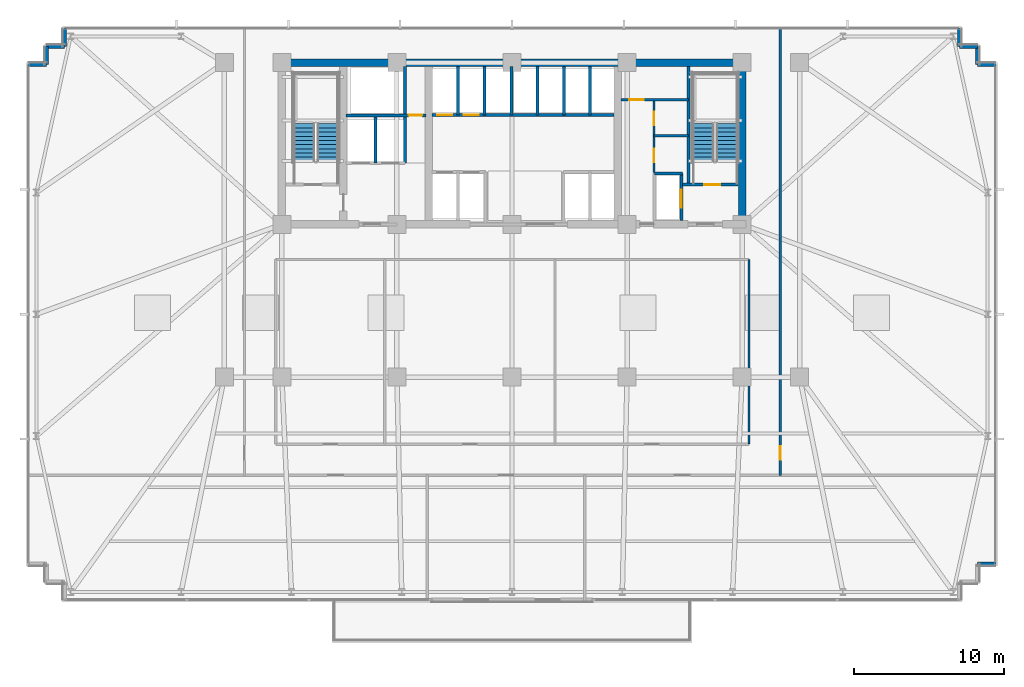
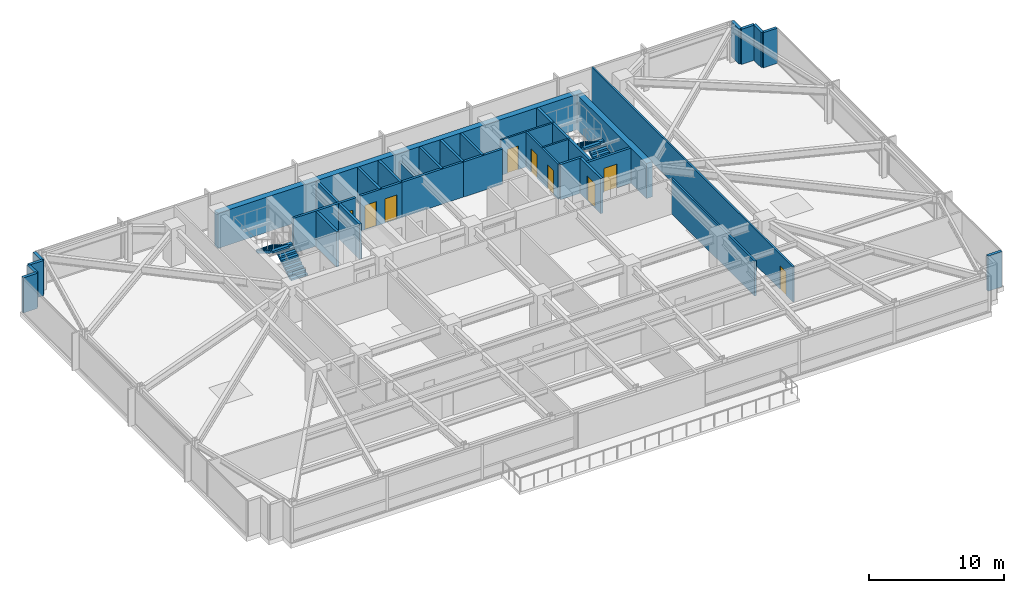
# One storey, part 25 of 31: 32 walls, 9 doors, 4 stair flights, 9 openings, 2 elements without a shape of their own.
"""IFC4 building model written with IfcOpenShell, lengths in metres."""

import ifcopenshell
import ifcopenshell.guid

model = None  # the IFC model being written
_history = None  # IfcOwnerHistory: only IFC2X3 demands one
_inside = {}  # id of a spatial element -> (the spatial element, [elements in it])
_under = {}  # id of a project, library or spatial element -> (it, [spatial elements below it])
_declared = {}  # id of a project -> (the project, [libraries it declares])
_typed = {}  # id of a type object -> (the type object, [elements of that type])
_made_of = {}  # id of a material, layer set ... -> (it, [elements and type objects made of it])


def new_model(schema):
    """Start an empty IFC model of exactly this schema.

    Asked for "IFC4X3", IfcOpenShell would pick the latest addendum, in which some entities
    have other attributes; the version numbers below select the first issue.
    IFC2X3 requires an IfcOwnerHistory on every rooted entity: one is made here for all.
    """
    global model, _history
    if schema == "IFC4X3":
        model = ifcopenshell.file(schema_version=(4, 3, 0, 0))
    else:
        model = ifcopenshell.file(schema=schema)
    _inside.clear()
    _under.clear()
    _declared.clear()
    _typed.clear()
    _made_of.clear()
    _history = None
    if model.schema == "IFC2X3":
        org = make("IfcOrganization", Name="unknown")
        user = make(
            "IfcPersonAndOrganization",
            ThePerson=make("IfcPerson", FamilyName="unknown"),
            TheOrganization=org,
        )
        app = make(
            "IfcApplication",
            ApplicationDeveloper=org,
            Version="unknown",
            ApplicationFullName="unknown",
            ApplicationIdentifier="unknown",
        )
        _history = make(
            "IfcOwnerHistory",
            OwningUser=user,
            OwningApplication=app,
            ChangeAction="ADDED",
            CreationDate=0,
        )
    return model


def make(cls, **values):
    """One entity of the class cls with the attributes given. An attribute that is None is left unset."""
    return model.create_entity(
        cls, **{name: value for name, value in values.items() if value is not None}
    )


def rooted(cls, **values):
    """An entity with a GlobalId (a new one), such as an element, a storey or a relation."""
    return make(cls, GlobalId=ifcopenshell.guid.new(), OwnerHistory=_history, **values)


def si_unit(unit_type, name, prefix=None):
    """IfcSIUnit, for example si_unit("LENGTHUNIT", "METRE", prefix="MILLI")."""
    return make("IfcSIUnit", UnitType=unit_type, Prefix=prefix, Name=name)


def assignment(units):
    """IfcUnitAssignment: the units of a project."""
    return None if units is None else make("IfcUnitAssignment", Units=units)


def point(xyz):
    """IfcCartesianPoint."""
    return None if xyz is None else make("IfcCartesianPoint", Coordinates=xyz)


def direction(xyz):
    """IfcDirection."""
    return None if xyz is None else make("IfcDirection", DirectionRatios=xyz)


def frame(location, z_axis=None, x_axis=None):
    """IfcAxis2Placement3D, a coordinate frame: its origin and axes. An axis left out is left unset."""
    return make(
        "IfcAxis2Placement3D",
        Location=point(location),
        Axis=direction(z_axis),
        RefDirection=direction(x_axis),
    )


def frame_2d(location, x_axis=None):
    """IfcAxis2Placement2D, a coordinate frame in the plane: its origin and x axis."""
    return make(
        "IfcAxis2Placement2D", Location=point(location), RefDirection=direction(x_axis)
    )


def origin():
    """The frame at (0, 0, 0) with its axes left unset."""
    return frame((0.0, 0.0, 0.0))


def place(relative_to, where):
    """IfcLocalPlacement: puts the frame where relative to a parent placement (None: the world)."""
    return make(
        "IfcLocalPlacement", PlacementRelTo=relative_to, RelativePlacement=where
    )


def context(
    kind, dimensions, precision=None, world=None, true_north=None, identifier=None
):
    """IfcGeometricRepresentationContext, for example the 3D "Model" context."""
    return make(
        "IfcGeometricRepresentationContext",
        ContextIdentifier=identifier,
        ContextType=kind,
        CoordinateSpaceDimension=dimensions,
        Precision=precision,
        WorldCoordinateSystem=world,
        TrueNorth=true_north,
    )


def subcontext(parent, identifier, kind, view, scale=None):
    """IfcGeometricRepresentationSubContext, for example "Body" below "Model"."""
    return make(
        "IfcGeometricRepresentationSubContext",
        ContextIdentifier=identifier,
        ContextType=kind,
        ParentContext=parent,
        TargetScale=scale,
        TargetView=view,
    )


def project(units=None, contexts=None):
    """IfcProject with its units and contexts."""
    return rooted(
        "IfcProject",
        Name="project",
        RepresentationContexts=contexts,
        UnitsInContext=assignment(units),
    )


def spatial(cls, under=None, at=None, **own):
    """A site, building, storey or space (cls), placed at a placement, below another one or the project."""
    s = rooted(cls, ObjectPlacement=at, **own)
    if under is not None:
        _under.setdefault(under.id(), (under, []))[1].append(s)
    return s


def polyline(points):
    """IfcPolyline through the points."""
    return make("IfcPolyline", Points=[point(p) for p in points])


def profile(cls, at=None, kind="AREA", **sizes):
    """A parametric profile (cls). Its sizes go by their IFC names, for example OverallWidth=200.0."""
    return make(cls, ProfileType=kind, Position=at, **sizes)


def rectangle(**sizes):
    """IfcRectangleProfileDef."""
    return profile("IfcRectangleProfileDef", **sizes)


def outline(outer, holes=None, kind="AREA"):
    """IfcArbitraryClosedProfileDef: a profile drawn as a closed curve; with holes, ...WithVoids."""
    if holes is None:
        return make("IfcArbitraryClosedProfileDef", ProfileType=kind, OuterCurve=outer)
    return make(
        "IfcArbitraryProfileDefWithVoids",
        ProfileType=kind,
        OuterCurve=outer,
        InnerCurves=holes,
    )


def extrude(swept, where, along, depth):
    """IfcExtrudedAreaSolid: the profile swept, set in the frame where, extruded along a direction by depth."""
    return make(
        "IfcExtrudedAreaSolid",
        SweptArea=swept,
        Position=where,
        ExtrudedDirection=direction(along),
        Depth=depth,
    )


def shape(context_of_items, identifier, shape_type, items):
    """IfcShapeRepresentation: the items that make up one representation, for example the "Body"."""
    return make(
        "IfcShapeRepresentation",
        ContextOfItems=context_of_items,
        RepresentationIdentifier=identifier,
        RepresentationType=shape_type,
        Items=items,
    )


def material(Name=None, Category=None):
    """IfcMaterial."""
    return make("IfcMaterial", Name=Name, Category=Category)


def layer(
    of_material, thickness, ventilated=None, Name=None, Category=None, Priority=None
):
    """IfcMaterialLayer: one layer of a wall or slab, of a material (None: an air gap)."""
    return make(
        "IfcMaterialLayer",
        Material=of_material,
        LayerThickness=thickness,
        IsVentilated=ventilated,
        Name=Name,
        Category=Category,
        Priority=Priority,
    )


def layer_set(layers, Name=None):
    """IfcMaterialLayerSet."""
    return make("IfcMaterialLayerSet", MaterialLayers=layers, LayerSetName=Name)


def made_of(thing, what):
    """Note that an element or type object is made of a material, layer set ...; save() writes the relation."""
    if what is not None:
        _made_of.setdefault(what.id(), (what, []))[1].append(thing)
    return thing


def type_object(cls, material=None, **own):
    """A type object (cls), such as IfcWallType, which elements share."""
    return made_of(rooted(cls, **own), material)


def element(
    cls,
    number,
    at=None,
    inside=None,
    cuts=None,
    type_object=None,
    material=None,
    context=None,
    identifier="Body",
    shape_type=None,
    held_by="IfcProductDefinitionShape",
    body=None,
    shapes=None,
    **own,
):
    """One element of the class cls, such as IfcWall. Its Tag is "e" and its number.

    at: its placement. inside: the storey or other place that contains it. cuts: it is an
    opening in that element (IfcRelVoidsElement). A single representation is given by context,
    identifier, shape_type and body (its items); several are given by shapes. held_by: the class
    of the entity that holds the representations. save() writes the other relations.
    """
    e = rooted(cls, Tag="e%d" % number, ObjectPlacement=at, **own)
    if body is not None:
        shapes = [shape(context, identifier, shape_type, body)]
    if shapes is not None:
        e.Representation = make(held_by, Representations=shapes)
    if inside is not None:
        _inside.setdefault(inside.id(), (inside, []))[1].append(e)
    if cuts is not None:
        rooted(
            "IfcRelVoidsElement", RelatingBuildingElement=cuts, RelatedOpeningElement=e
        )
    if type_object is not None:
        _typed.setdefault(type_object.id(), (type_object, []))[1].append(e)
    return made_of(e, material)


def fill(opening, filler):
    """IfcRelFillsElement: the door or window that sits in an opening."""
    return rooted(
        "IfcRelFillsElement",
        RelatingOpeningElement=opening,
        RelatedBuildingElement=filler,
    )


def aggregate(whole, parts):
    """IfcRelAggregates: a whole, such as a stair, and the parts it consists of."""
    return rooted("IfcRelAggregates", RelatingObject=whole, RelatedObjects=parts)


def save(model, path):
    """Write the relations noted so far, then the file.

    IfcRelAggregates (storeys below a building ...), IfcRelContainedInSpatialStructure (elements
    in a storey), IfcRelDefinesByType, IfcRelAssociatesMaterial and IfcRelDeclares: one each for
    every whole, place, type object, material and project.
    """
    for whole, parts in _under.values():
        aggregate(whole, parts)
    for where, things in _inside.values():
        rooted(
            "IfcRelContainedInSpatialStructure",
            RelatedElements=things,
            RelatingStructure=where,
        )
    for kind, things in _typed.values():
        rooted("IfcRelDefinesByType", RelatedObjects=things, RelatingType=kind)
    for what, things in _made_of.values():
        rooted("IfcRelAssociatesMaterial", RelatedObjects=things, RelatingMaterial=what)
    for by, libraries in _declared.values():
        rooted("IfcRelDeclares", RelatingContext=by, RelatedDefinitions=libraries)
    model.write(path)


model = new_model("IFC4")

# Units and contexts
model_context = context("Model", 3, precision=1e-05, world=origin(), true_north=direction((0.0, 1.0)))
body_context = subcontext(model_context, "Body", "Model", "MODEL_VIEW")
ifc_project = project(units=[si_unit("LENGTHUNIT", "METRE"), si_unit("AREAUNIT", "SQUARE_METRE"), si_unit("VOLUMEUNIT", "CUBIC_METRE"), si_unit("PLANEANGLEUNIT", "RADIAN"), si_unit("MASSUNIT", "GRAM", prefix="KILO")], contexts=[model_context])

# Site, building, storey
site_placement = place(None, origin())
site = spatial("IfcSite", under=ifc_project, at=site_placement, CompositionType="ELEMENT")
building_placement = place(site_placement, origin())
building = spatial("IfcBuilding", under=site, at=building_placement, Name="Yelkora Congress Tower", CompositionType="ELEMENT")
storey_placement = place(building_placement, frame((0.0, 0.0, 30.39990234375)))
storey = spatial("IfcBuildingStorey", under=building, at=storey_placement, Name="L06", CompositionType="ELEMENT", Elevation=30.39990234375)

# Walls
ifc_material_1 = material(Name="Concrete C50/60", Category="concrete")
ifc_layer_1 = layer(ifc_material_1, 0.219970703125)
ifc_layer_set_1 = layer_set([ifc_layer_1], Name="Concrete C50/60")
wall_type_1 = type_object("IfcWallType", Name="WALL-CORE-INT-220", PredefinedType="SHEAR", material=ifc_layer_set_1)
wall_1_placement = place(storey_placement, frame((50.179931640625, 38.050048828125, 0.0), z_axis=(0.0, 0.0, 1.0), x_axis=(0.0, 1.0, 0.0)))
element("IfcWall", 1, at=wall_1_placement, inside=storey, type_object=wall_type_1, Name="L06 ST02 West Stair Shear Wall", PredefinedType="SHEAR", context=body_context, shape_type="SweptSolid", body=[
    extrude(rectangle(XDim=7.89990234375, YDim=0.219970703125, at=frame_2d((3.949951171875, 0.0))), origin(), (0.0, 0.0, 1.0), 3.18017578125),
])
ifc_material_2 = material(Name="Concrete C60/75", Category="concrete")
ifc_layer_2 = layer(ifc_material_2, 0.5)
ifc_layer_set_2 = layer_set([ifc_layer_2], Name="Concrete C60/75")
wall_type_2 = type_object("IfcWallType", Name="WALL-CORE-INT-500", PredefinedType="SHEAR", material=ifc_layer_set_2)
wall_2_placement = place(storey_placement, frame((22.7900390625, 46.199951171875, 0.0), z_axis=(0.0, 0.0, 1.0), x_axis=(1.0, 0.0, 0.0)))
element("IfcWall", 2, at=wall_2_placement, inside=storey, type_object=wall_type_2, Name="L06 Rear Core North Shear Wall", PredefinedType="SHEAR", context=body_context, shape_type="SweptSolid", body=[
    extrude(rectangle(XDim=31.219970703125, YDim=0.5, at=frame_2d((15.60986328125, 0.0))), origin(), (0.0, 0.0, 1.0), 3.18017578125),
])
wall_3_placement = place(storey_placement, frame((53.760009765625, 35.64990234375, 0.0), z_axis=(0.0, 0.0, 1.0), x_axis=(0.0, 1.0, 0.0)))
element("IfcWall", 3, at=wall_3_placement, inside=storey, type_object=wall_type_2, Name="L06 Rear Core Cross Shear Wall E", PredefinedType="SHEAR", context=body_context, shape_type="SweptSolid", body=[
    extrude(rectangle(XDim=10.300048828125, YDim=0.5, at=frame_2d((5.14990234375, 0.0))), origin(), (0.0, 0.0, 1.0), 3.18017578125),
])
ifc_material_3 = material(Name="Concrete C40/50", Category="concrete")
ifc_layer_3 = layer(ifc_material_3, 0.239990234375)
ifc_layer_set_3 = layer_set([ifc_layer_3], Name="Concrete C40/50")
wall_type_3 = type_object("IfcWallType", Name="WALL-EXT-LIMESTONE-240", PredefinedType="SOLIDWALL", material=ifc_layer_set_3)
wall_4_placement = place(storey_placement, frame((6.139892578125, 46.06005859375, 0.0), z_axis=(0.0, 0.0, 1.0), x_axis=(1.0, 0.0, 0.0)))
element("IfcWall", 4, at=wall_4_placement, inside=storey, type_object=wall_type_3, Name="L06 Serrated Corner Limestone Pier 6", PredefinedType="SOLIDWALL", context=body_context, shape_type="SweptSolid", body=[
    extrude(rectangle(XDim=1.2001953125, YDim=0.239990234375, at=frame_2d((0.60009765625, 0.0))), origin(), (0.0, 0.0, 1.0), 3.18017578125),
])
for number, where, z_axis, x_axis, name in (
    (5, (7.340087890625, 46.06005859375, 0.0), (0.0, 0.0, 1.0), (0.0, 1.0, 0.0), "L06 Serrated Corner Limestone Pier 7"),
    (6, (7.340087890625, 47.260009765625, 0.0), (0.0, 0.0, 1.0), (1.0, 0.0, 0.0), "L06 Serrated Corner Limestone Pier 8"),
    (7, (8.5400390625, 47.260009765625, 0.0), (0.0, 0.0, 1.0), (0.0, 1.0, 0.0), "L06 Serrated Corner Limestone Pier 9"),
    (8, (68.260009765625, 48.4599609375, 0.0), (0.0, 0.0, 1.0), (0.0, -1.0, 0.0), "L06 Serrated Corner Limestone Pier 11"),
    (9, (68.260009765625, 47.260009765625, 0.0), (0.0, 0.0, 1.0), (1.0, 0.0, 0.0), "L06 Serrated Corner Limestone Pier 12"),
    (10, (69.4599609375, 47.260009765625, 0.0), (0.0, 0.0, 1.0), (0.0, -1.0, 0.0), "L06 Serrated Corner Limestone Pier 13"),
    (11, (69.4599609375, 46.06005859375, 0.0), (0.0, 0.0, 1.0), (1.0, 0.0, 0.0), "L06 Serrated Corner Limestone Pier 14"),
    (12, (70.659912109375, 12.739990234375, 0.0), (0.0, 0.0, 1.0), (-1.0, 0.0, 0.0), "L06 Serrated Corner Limestone Pier 16"),
):
    element("IfcWall", number, at=place(storey_placement, frame(where, z_axis=z_axis, x_axis=x_axis)), inside=storey, type_object=wall_type_3, Name=name, PredefinedType="SOLIDWALL", context=body_context, shape_type="SweptSolid", body=[
        extrude(rectangle(XDim=1.199951171875, YDim=0.239990234375, at=frame_2d((0.60009765625, 0.0))), origin(), (0.0, 0.0, 1.0), 3.18017578125),
    ])

# Wall, opening, door
ifc_material_4 = material(Name="Acoustic metal-stud gypsum partition", Category="gypsum")
ifc_layer_4 = layer(ifc_material_4, 0.14990234375)
ifc_layer_set_4 = layer_set([ifc_layer_4], Name="Acoustic metal-stud gypsum partition")
wall_type_4 = type_object("IfcWallType", Name="WALL-INT-150-NR", PredefinedType="PARTITIONING", material=ifc_layer_set_4)
wall_5_placement = place(storey_placement, frame((45.679931640625, 43.719970703125, 0.0), z_axis=(0.0, 0.0, 1.0), x_axis=(1.0, 0.0, 0.0)))
wall_5 = element("IfcWall", 13, at=wall_5_placement, inside=storey, type_object=wall_type_4, Name="L06 Partition Wall 28", PredefinedType="PARTITIONING", context=body_context, shape_type="SweptSolid", body=[
    extrude(rectangle(XDim=4.5, YDim=0.14990234375, at=frame_2d((2.25, 0.0))), origin(), (0.0, 0.0, 1.0), 3.18017578125),
])
opening_1_placement = place(wall_5_placement, frame((0.550048828125, 0.0, 0.0)))
opening_1 = element("IfcOpeningElement", 14, at=opening_1_placement, cuts=wall_5, Name="Opening DR-095N", PredefinedType="OPENING", context=body_context, shape_type="SweptSolid", body=[
    extrude(rectangle(XDim=0.949951171875, YDim=2.14990234375, at=frame_2d((0.47509765625, 1.074951171875))), frame((0.0, 0.0849609375, 0.0), z_axis=(0.0, -1.0, 0.0), x_axis=(1.0, 0.0, 0.0)), (0.0, 0.0, 1.0), 0.169921875),
])
ifc_material_5 = material(Name="Acoustic laminated timber office door", Category="wood")
door_type_1 = type_object("IfcDoorType", Name="DOOR-INT-950", OperationType="NOTDEFINED", PredefinedType="DOOR", material=ifc_material_5)
door_1_placement = place(opening_1_placement, origin())
door_1 = element("IfcDoor", 15, at=door_1_placement, inside=storey, type_object=door_type_1, Name="L06 Accessible WC Door", OperationType="SINGLE_SWING_RIGHT", OverallHeight=2.14990234375, OverallWidth=0.949951171875, PredefinedType="DOOR", context=body_context, shape_type="SweptSolid", body=[
    extrude(rectangle(XDim=0.949951171875, YDim=2.14990234375, at=frame_2d((0.47509765625, 1.074951171875))), frame((0.0, 0.02490234375, 0.0), z_axis=(0.0, -1.0, 0.0), x_axis=(1.0, 0.0, 0.0)), (0.0, 0.0, 1.0), 0.050048828125),
])
fill(opening_1, door_1)

# Wall
wall_6_placement = place(storey_placement, frame((47.8798828125, 41.320068359375, 0.0), z_axis=(0.0, 0.0, 1.0), x_axis=(1.0, 0.0, 0.0)))
element("IfcWall", 16, at=wall_6_placement, inside=storey, type_object=wall_type_4, Name="L06 Partition Wall 29", PredefinedType="PARTITIONING", context=body_context, shape_type="SweptSolid", body=[
    extrude(rectangle(XDim=2.300048828125, YDim=0.14990234375, at=frame_2d((1.14990234375, 0.0))), origin(), (0.0, 0.0, 1.0), 3.18017578125),
])

# Wall, openings, doors
wall_7_placement = place(storey_placement, frame((47.8798828125, 38.85009765625, 0.0), z_axis=(0.0, 0.0, 1.0), x_axis=(0.0, 1.0, 0.0)))
wall_7 = element("IfcWall", 17, at=wall_7_placement, inside=storey, type_object=wall_type_4, Name="L06 Partition Wall 30", PredefinedType="PARTITIONING", context=body_context, shape_type="SweptSolid", body=[
    extrude(rectangle(XDim=4.869873046875, YDim=0.14990234375, at=frame_2d((2.43505859375, 0.0))), origin(), (0.0, 0.0, 1.0), 3.18017578125),
])
opening_2_placement = place(wall_7_placement, frame((0.699951171875, 0.0, 0.0)))
opening_2 = element("IfcOpeningElement", 18, at=opening_2_placement, cuts=wall_7, Name="Opening DR-090N", PredefinedType="OPENING", context=body_context, shape_type="SweptSolid", body=[
    extrude(rectangle(XDim=0.89990234375, YDim=2.14990234375, at=frame_2d((0.449951171875, 1.074951171875))), frame((0.0, 0.0849609375, 0.0), z_axis=(0.0, -1.0, 0.0), x_axis=(1.0, 0.0, 0.0)), (0.0, 0.0, 1.0), 0.169921875),
])
opening_3_placement = place(wall_7_placement, frame((3.14990234375, 0.0, 0.0)))
opening_3 = element("IfcOpeningElement", 19, at=opening_3_placement, cuts=wall_7, Name="Opening DR-090N", PredefinedType="OPENING", context=body_context, shape_type="SweptSolid", body=[
    extrude(rectangle(XDim=0.89990234375, YDim=2.14990234375, at=frame_2d((0.449951171875, 1.074951171875))), frame((0.0, 0.0849609375, 0.0), z_axis=(0.0, -1.0, 0.0), x_axis=(1.0, 0.0, 0.0)), (0.0, 0.0, 1.0), 0.169921875),
])
ifc_material_6 = material(Name="Moisture-resistant laminate door leaf", Category="wood")
door_type_2 = type_object("IfcDoorType", Name="DOOR-INT-900", OperationType="NOTDEFINED", PredefinedType="DOOR", material=ifc_material_6)
door_2_placement = place(opening_2_placement, origin())
door_2 = element("IfcDoor", 20, at=door_2_placement, inside=storey, type_object=door_type_2, Name="L06 Male WC Door", OperationType="SINGLE_SWING_LEFT", OverallHeight=2.14990234375, OverallWidth=0.89990234375, PredefinedType="DOOR", context=body_context, shape_type="SweptSolid", body=[
    extrude(rectangle(XDim=0.89990234375, YDim=2.14990234375, at=frame_2d((0.449951171875, 1.074951171875))), frame((0.0, 0.02490234375, 0.0), z_axis=(0.0, -1.0, 0.0), x_axis=(1.0, 0.0, 0.0)), (0.0, 0.0, 1.0), 0.050048828125),
])
fill(opening_2, door_2)
door_3_placement = place(opening_3_placement, origin())
door_3 = element("IfcDoor", 21, at=door_3_placement, inside=storey, type_object=door_type_2, Name="L06 Female WC Door", OperationType="SINGLE_SWING_RIGHT", OverallHeight=2.14990234375, OverallWidth=0.89990234375, PredefinedType="DOOR", context=body_context, shape_type="SweptSolid", body=[
    extrude(rectangle(XDim=0.89990234375, YDim=2.14990234375, at=frame_2d((0.449951171875, 1.074951171875))), frame((0.0, 0.02490234375, 0.0), z_axis=(0.0, -1.0, 0.0), x_axis=(1.0, 0.0, 0.0)), (0.0, 0.0, 1.0), 0.050048828125),
])
fill(opening_3, door_3)

# Wall, opening, door
wall_8_placement = place(storey_placement, frame((56.300048828125, 18.64990234375, 0.0), z_axis=(0.0, 0.0, 1.0), x_axis=(0.0, 1.0, 0.0)))
wall_8 = element("IfcWall", 22, at=wall_8_placement, inside=storey, type_object=wall_type_4, Name="L06 Partition Wall 35", PredefinedType="PARTITIONING", context=body_context, shape_type="SweptSolid", body=[
    extrude(rectangle(XDim=29.8701171875, YDim=0.14990234375, at=frame_2d((14.93505859375, 0.0))), origin(), (0.0, 0.0, 1.0), 3.18017578125),
])
opening_4_placement = place(wall_8_placement, frame((1.030029296875, 0.0, 0.0)))
opening_4 = element("IfcOpeningElement", 23, at=opening_4_placement, cuts=wall_8, Name="Opening DR-090N", PredefinedType="OPENING", context=body_context, shape_type="SweptSolid", body=[
    extrude(rectangle(XDim=0.89990234375, YDim=2.14990234375, at=frame_2d((0.449951171875, 1.074951171875))), frame((0.0, 0.0849609375, 0.0), z_axis=(0.0, -1.0, 0.0), x_axis=(1.0, 0.0, 0.0)), (0.0, 0.0, 1.0), 0.169921875),
])
door_4_placement = place(opening_4_placement, origin())
door_4 = element("IfcDoor", 24, at=door_4_placement, inside=storey, type_object=door_type_2, Name="L06 E Wing Door", OperationType="SINGLE_SWING_LEFT", OverallHeight=2.14990234375, OverallWidth=0.89990234375, PredefinedType="DOOR", context=body_context, shape_type="SweptSolid", body=[
    extrude(rectangle(XDim=0.89990234375, YDim=2.14990234375, at=frame_2d((0.449951171875, 1.074951171875))), frame((0.0, 0.02490234375, 0.0), z_axis=(0.0, -1.0, 0.0), x_axis=(1.0, 0.0, 0.0)), (0.0, 0.0, 1.0), 0.050048828125),
])
fill(opening_4, door_4)

# Walls
wall_9_placement = place(storey_placement, frame((54.219970703125, 20.72998046875, 0.0), z_axis=(0.0, 0.0, 1.0), x_axis=(0.0, 1.0, 0.0)))
element("IfcWall", 25, at=wall_9_placement, inside=storey, type_object=wall_type_4, Name="L06 Partition Wall 37", PredefinedType="PARTITIONING", context=body_context, shape_type="SweptSolid", body=[
    extrude(rectangle(XDim=12.320068359375, YDim=0.14990234375, at=frame_2d((6.16015625, 0.0))), origin(), (0.0, 0.0, 1.0), 3.18017578125),
])
ifc_material_7 = material(Name="Autoclaved aerated concrete blockwork", Category="masonry")
ifc_layer_5 = layer(ifc_material_7, 0.199951171875)
ifc_layer_set_5 = layer_set([ifc_layer_5], Name="Autoclaved aerated concrete blockwork")
wall_type_5 = type_object("IfcWallType", Name="WALL-INT-200-R120", PredefinedType="PARTITIONING", material=ifc_layer_set_5)
wall_10_placement = place(storey_placement, frame((29.300048828125, 39.47998046875, 0.0), z_axis=(0.0, 0.0, 1.0), x_axis=(0.0, 1.0, 0.0)))
element("IfcWall", 26, at=wall_10_placement, inside=storey, type_object=wall_type_5, Name="L06 Partition Wall 4", PredefinedType="PARTITIONING", context=body_context, shape_type="SweptSolid", body=[
    extrude(rectangle(XDim=3.070068359375, YDim=0.199951171875, at=frame_2d((1.53515625, 0.0))), origin(), (0.0, 0.0, 1.0), 3.18017578125),
])
wall_11_placement = place(storey_placement, frame((31.260009765625, 39.47998046875, 0.0), z_axis=(0.0, 0.0, 1.0), x_axis=(0.0, 1.0, 0.0)))
element("IfcWall", 27, at=wall_11_placement, inside=storey, type_object=wall_type_5, Name="L06 Partition Wall 5", PredefinedType="PARTITIONING", context=body_context, shape_type="SweptSolid", body=[
    extrude(rectangle(XDim=6.43994140625, YDim=0.199951171875, at=frame_2d((3.219970703125, 0.0))), origin(), (0.0, 0.0, 1.0), 3.18017578125),
])

# Wall, opening, door
wall_12_placement = place(storey_placement, frame((27.320068359375, 42.679931640625, 0.0), z_axis=(0.0, 0.0, 1.0), x_axis=(1.0, 0.0, 0.0)))
wall_12 = element("IfcWall", 28, at=wall_12_placement, inside=storey, type_object=wall_type_5, Name="L06 Smoke Riser South Wall", PredefinedType="PARTITIONING", context=body_context, shape_type="SweptSolid", body=[
    extrude(rectangle(XDim=5.329833984375, YDim=0.199951171875, at=frame_2d((2.6650390625, 0.0))), origin(), (0.0, 0.0, 1.0), 3.18017578125),
])
opening_5_placement = place(wall_12_placement, frame((4.179931640625, 0.0, 0.0)))
opening_5 = element("IfcOpeningElement", 29, at=opening_5_placement, cuts=wall_12, Name="Opening DR-090F6", PredefinedType="OPENING", context=body_context, shape_type="SweptSolid", body=[
    extrude(rectangle(XDim=0.89990234375, YDim=2.14990234375, at=frame_2d((0.449951171875, 1.074951171875))), frame((0.0, 0.10986328125, 0.0), z_axis=(0.0, -1.0, 0.0), x_axis=(1.0, 0.0, 0.0)), (0.0, 0.0, 1.0), 0.219970703125),
])
ifc_material_8 = material(Name="Painted steel riser fire door leaf", Category="steel")
door_type_3 = type_object("IfcDoorType", Name="DOOR-FD60-900", OperationType="NOTDEFINED", PredefinedType="DOOR", material=ifc_material_8)
door_5_placement = place(opening_5_placement, origin())
door_5 = element("IfcDoor", 30, at=door_5_placement, inside=storey, type_object=door_type_3, Name="L06 Riser Access Door", OperationType="SINGLE_SWING_LEFT", OverallHeight=2.14990234375, OverallWidth=0.89990234375, PredefinedType="DOOR", context=body_context, shape_type="SweptSolid", body=[
    extrude(rectangle(XDim=0.89990234375, YDim=2.14990234375, at=frame_2d((0.449951171875, 1.074951171875))), frame((0.0, 0.02490234375, 0.0), z_axis=(0.0, -1.0, 0.0), x_axis=(1.0, 0.0, 0.0)), (0.0, 0.0, 1.0), 0.050048828125),
])
fill(opening_5, door_5)

# Walls
wall_13_placement = place(storey_placement, frame((36.60009765625, 42.699951171875, 0.0), z_axis=(0.0, 0.0, 1.0), x_axis=(1.0, 0.0, 0.0)))
element("IfcWall", 31, at=wall_13_placement, inside=storey, type_object=wall_type_5, Name="L06 Partition Wall 8", PredefinedType="PARTITIONING", context=body_context, shape_type="SweptSolid", body=[
    extrude(rectangle(XDim=5.25, YDim=0.199951171875, at=frame_2d((2.625, 0.0))), origin(), (0.0, 0.0, 1.0), 3.18017578125),
])
wall_14_placement = place(storey_placement, frame((38.35009765625, 42.699951171875, 0.0), z_axis=(0.0, 0.0, 1.0), x_axis=(0.0, 1.0, 0.0)))
element("IfcWall", 32, at=wall_14_placement, inside=storey, type_object=wall_type_5, Name="L06 Partition Wall 9", PredefinedType="PARTITIONING", context=body_context, shape_type="SweptSolid", body=[
    extrude(rectangle(XDim=3.219970703125, YDim=0.199951171875, at=frame_2d((1.60986328125, 0.0))), origin(), (0.0, 0.0, 1.0), 2.47509765625),
])
wall_15_placement = place(storey_placement, frame((40.10009765625, 42.699951171875, 0.0), z_axis=(0.0, 0.0, 1.0), x_axis=(0.0, 1.0, 0.0)))
element("IfcWall", 33, at=wall_15_placement, inside=storey, type_object=wall_type_5, Name="L06 Partition Wall 10", PredefinedType="PARTITIONING", context=body_context, shape_type="SweptSolid", body=[
    extrude(rectangle(XDim=3.219970703125, YDim=0.199951171875, at=frame_2d((1.60986328125, 0.0))), origin(), (0.0, 0.0, 1.0), 3.18017578125),
])

# Wall, openings, doors
wall_16_placement = place(storey_placement, frame((33.050048828125, 42.699951171875, 0.0), z_axis=(0.0, 0.0, 1.0), x_axis=(1.0, 0.0, 0.0)))
wall_16 = element("IfcWall", 34, at=wall_16_placement, inside=storey, type_object=wall_type_5, Name="L06 Partition Wall 12", PredefinedType="PARTITIONING", context=body_context, shape_type="SweptSolid", body=[
    extrude(rectangle(XDim=3.570068359375, YDim=0.199951171875, at=frame_2d((1.78515625, 0.0))), origin(), (0.0, 0.0, 1.0), 3.18017578125),
])
opening_6_placement = place(wall_16_placement, frame((0.375, 0.0, 0.0)))
opening_6 = element("IfcOpeningElement", 35, at=opening_6_placement, cuts=wall_16, Name="Opening LD-PS10", PredefinedType="OPENING", context=body_context, shape_type="SweptSolid", body=[
    extrude(rectangle(XDim=1.0, YDim=2.199951171875, at=frame_2d((0.5, 1.10009765625))), frame((0.0, 0.10986328125, 0.0), z_axis=(0.0, -1.0, 0.0), x_axis=(1.0, 0.0, 0.0)), (0.0, 0.0, 1.0), 0.219970703125),
])
opening_7_placement = place(wall_16_placement, frame((2.125, 0.0, 0.0)))
opening_7 = element("IfcOpeningElement", 36, at=opening_7_placement, cuts=wall_16, Name="Opening LD-PS10", PredefinedType="OPENING", context=body_context, shape_type="SweptSolid", body=[
    extrude(rectangle(XDim=1.0, YDim=2.199951171875, at=frame_2d((0.5, 1.10009765625))), frame((0.0, 0.10986328125, 0.0), z_axis=(0.0, -1.0, 0.0), x_axis=(1.0, 0.0, 0.0)), (0.0, 0.0, 1.0), 0.219970703125),
])
ifc_material_9 = material(Name="Champagne stainless steel landing door", Category="steel")
door_type_4 = type_object("IfcDoorType", Name="DOOR-LIFT-PAS-1000", OperationType="DOUBLE_DOOR_SLIDING", PredefinedType="DOOR", material=ifc_material_9)
door_6_placement = place(opening_6_placement, origin())
door_6 = element("IfcDoor", 37, at=door_6_placement, inside=storey, type_object=door_type_4, Name="Lift Landing Door LF-P3 L06", OperationType="DOUBLE_DOOR_SLIDING", OverallHeight=2.199951171875, OverallWidth=1.0, PredefinedType="DOOR", context=body_context, shape_type="SweptSolid", body=[
    extrude(rectangle(XDim=1.0, YDim=2.199951171875, at=frame_2d((0.5, 1.10009765625))), frame((0.0, 0.02490234375, 0.0), z_axis=(0.0, -1.0, 0.0), x_axis=(1.0, 0.0, 0.0)), (0.0, 0.0, 1.0), 0.050048828125),
])
fill(opening_6, door_6)
door_7_placement = place(opening_7_placement, origin())
door_7 = element("IfcDoor", 38, at=door_7_placement, inside=storey, type_object=door_type_4, Name="Lift Landing Door LF-P4 L06", OperationType="DOUBLE_DOOR_SLIDING", OverallHeight=2.199951171875, OverallWidth=1.0, PredefinedType="DOOR", context=body_context, shape_type="SweptSolid", body=[
    extrude(rectangle(XDim=1.0, YDim=2.199951171875, at=frame_2d((0.5, 1.10009765625))), frame((0.0, 0.02490234375, 0.0), z_axis=(0.0, -1.0, 0.0), x_axis=(1.0, 0.0, 0.0)), (0.0, 0.0, 1.0), 0.050048828125),
])
fill(opening_7, door_7)

# Walls
for number, where, z_axis, x_axis, name in (
    (39, (34.800048828125, 42.699951171875, 0.0), (0.0, 0.0, 1.0), (0.0, 1.0, 0.0), "L06 Partition Wall 14"),
    (40, (36.580078125, 42.699951171875, 0.0), (0.0, 0.0, 1.0), (0.0, 1.0, 0.0), "L06 Partition Wall 16"),
):
    element("IfcWall", number, at=place(storey_placement, frame(where, z_axis=z_axis, x_axis=x_axis)), inside=storey, type_object=wall_type_5, Name=name, PredefinedType="PARTITIONING", context=body_context, shape_type="SweptSolid", body=[
        extrude(rectangle(XDim=3.219970703125, YDim=0.199951171875, at=frame_2d((1.60986328125, 0.0))), origin(), (0.0, 0.0, 1.0), 3.18017578125),
    ])
wall_17_placement = place(storey_placement, frame((41.85009765625, 42.699951171875, 0.0), z_axis=(0.0, 0.0, 1.0), x_axis=(1.0, 0.0, 0.0)))
element("IfcWall", 41, at=wall_17_placement, inside=storey, type_object=wall_type_5, Name="L06 Partition Wall 18", PredefinedType="PARTITIONING", context=body_context, shape_type="SweptSolid", body=[
    extrude(rectangle(XDim=3.369873046875, YDim=0.199951171875, at=frame_2d((1.68505859375, 0.0))), origin(), (0.0, 0.0, 1.0), 3.18017578125),
])
for number, where, z_axis, x_axis, name in (
    (42, (43.60009765625, 42.699951171875, 0.0), (0.0, 0.0, 1.0), (0.0, 1.0, 0.0), "L06 Partition Wall 20"),
    (43, (41.8798828125, 42.699951171875, 0.0), (0.0, 0.0, 1.0), (0.0, 1.0, 0.0), "L06 Partition Wall 22"),
):
    element("IfcWall", number, at=place(storey_placement, frame(where, z_axis=z_axis, x_axis=x_axis)), inside=storey, type_object=wall_type_5, Name=name, PredefinedType="PARTITIONING", context=body_context, shape_type="SweptSolid", body=[
        extrude(rectangle(XDim=3.219970703125, YDim=0.199951171875, at=frame_2d((1.60986328125, 0.0))), origin(), (0.0, 0.0, 1.0), 3.18017578125),
    ])

# Wall, opening, door
wall_18_placement = place(storey_placement, frame((49.780029296875, 38.050048828125, 0.0), z_axis=(0.0, 0.0, 1.0), x_axis=(1.0, 0.0, 0.0)))
wall_18 = element("IfcWall", 44, at=wall_18_placement, inside=storey, type_object=wall_type_5, Name="L06 Stair ST-02 Enclosure Wall", PredefinedType="PARTITIONING", context=body_context, shape_type="SweptSolid", body=[
    extrude(rectangle(XDim=3.719970703125, YDim=0.199951171875, at=frame_2d((1.85986328125, 0.0))), origin(), (0.0, 0.0, 1.0), 3.18017578125),
])
opening_8_placement = place(wall_18_placement, frame((1.436279296875, 0.0, 0.0)))
opening_8 = element("IfcOpeningElement", 45, at=opening_8_placement, cuts=wall_18, Name="Opening DR-110F9", PredefinedType="OPENING", context=body_context, shape_type="SweptSolid", body=[
    extrude(rectangle(XDim=1.10009765625, YDim=2.14990234375, at=frame_2d((0.550048828125, 1.074951171875))), frame((0.0, 0.10986328125, 0.0), z_axis=(0.0, -1.0, 0.0), x_axis=(1.0, 0.0, 0.0)), (0.0, 0.0, 1.0), 0.219970703125),
])
ifc_material_10 = material(Name="Galvanised steel fire door leaf", Category="steel")
door_type_5 = type_object("IfcDoorType", Name="DOOR-FD90-1100", OperationType="NOTDEFINED", PredefinedType="DOOR", material=ifc_material_10)
door_8_placement = place(opening_8_placement, origin())
door_8 = element("IfcDoor", 46, at=door_8_placement, inside=storey, type_object=door_type_5, Name="L06 Stair ST-02 Entry Door", OperationType="SINGLE_SWING_LEFT", OverallHeight=2.14990234375, OverallWidth=1.10009765625, PredefinedType="DOOR", context=body_context, shape_type="SweptSolid", body=[
    extrude(rectangle(XDim=1.10009765625, YDim=2.14990234375, at=frame_2d((0.550048828125, 1.074951171875))), frame((0.0, 0.02490234375, 0.0), z_axis=(0.0, -1.0, 0.0), x_axis=(1.0, 0.0, 0.0)), (0.0, 0.0, 1.0), 0.050048828125),
])
fill(opening_8, door_8)

wall_19_placement = place(storey_placement, frame((49.699951171875, 35.64990234375, 0.0), z_axis=(0.0, 0.0, 1.0), x_axis=(0.0, 1.0, 0.0)))
wall_19 = element("IfcWall", 47, at=wall_19_placement, inside=storey, type_object=wall_type_5, Name="L06 Partition Wall 25", PredefinedType="PARTITIONING", context=body_context, shape_type="SweptSolid", body=[
    extrude(rectangle(XDim=3.150146484375, YDim=0.199951171875, at=frame_2d((1.5751953125, 0.0))), origin(), (0.0, 0.0, 1.0), 3.18017578125),
])
opening_9_placement = place(wall_19_placement, frame((0.85009765625, 0.0, 0.0)))
opening_9 = element("IfcOpeningElement", 48, at=opening_9_placement, cuts=wall_19, Name="Opening LD-SV12", PredefinedType="OPENING", context=body_context, shape_type="SweptSolid", body=[
    extrude(rectangle(XDim=1.199951171875, YDim=2.199951171875, at=frame_2d((0.60009765625, 1.10009765625))), frame((0.0, 0.10986328125, 0.0), z_axis=(0.0, -1.0, 0.0), x_axis=(1.0, 0.0, 0.0)), (0.0, 0.0, 1.0), 0.219970703125),
])
ifc_material_11 = material(Name="Heavy-duty stainless steel landing door", Category="steel")
door_type_6 = type_object("IfcDoorType", Name="DOOR-LIFT-SRV-1200", OperationType="DOUBLE_DOOR_SLIDING", PredefinedType="DOOR", material=ifc_material_11)
door_9_placement = place(opening_9_placement, origin())
door_9 = element("IfcDoor", 49, at=door_9_placement, inside=storey, type_object=door_type_6, Name="Service Lift Landing Door LF-SV1 L06", OperationType="DOUBLE_DOOR_SLIDING", OverallHeight=2.199951171875, OverallWidth=1.199951171875, PredefinedType="DOOR", context=body_context, shape_type="SweptSolid", body=[
    extrude(rectangle(XDim=1.199951171875, YDim=2.199951171875, at=frame_2d((0.60009765625, 1.10009765625))), frame((0.0, 0.02490234375, 0.0), z_axis=(0.0, -1.0, 0.0), x_axis=(1.0, 0.0, 0.0)), (0.0, 0.0, 1.0), 0.050048828125),
])
fill(opening_9, door_9)

# Wall
wall_20_placement = place(storey_placement, frame((47.919921875, 38.800048828125, 0.0), z_axis=(0.0, 0.0, 1.0), x_axis=(1.0, 0.0, 0.0)))
element("IfcWall", 50, at=wall_20_placement, inside=storey, type_object=wall_type_5, Name="L06 Partition Wall 27", PredefinedType="PARTITIONING", context=body_context, shape_type="SweptSolid", body=[
    extrude(rectangle(XDim=1.860107421875, YDim=0.199951171875, at=frame_2d((0.93017578125, 0.0))), origin(), (0.0, 0.0, 1.0), 3.18017578125),
])

# Stair, stair flights
stair_type = type_object("IfcStairType", Name="STAIR-HT-1420-R20-170", PredefinedType="HALF_TURN_STAIR", material=ifc_material_3)
stair_1_placement = place(storey_placement, origin())
stair_1 = element("IfcStair", 51, at=stair_1_placement, inside=storey, type_object=stair_type, Name="West Core Protected Exit Stair ST-01 (L06)", PredefinedType="HALF_TURN_STAIR")
stair_flight_type = type_object("IfcStairFlightType", Name="FLIGHT-1420-N10-R170-G280", PredefinedType="STRAIGHT", material=ifc_material_3)
stair_flight_1_placement = place(storey_placement, frame((26.110107421875, 39.60009765625, 0.0), z_axis=(0.0, 0.0, 1.0), x_axis=(0.0, 1.0, 0.0)))
stair_flight_1 = element("IfcStairFlight", 52, at=stair_flight_1_placement, type_object=stair_flight_type, Name="ST-01 L06 Flight 1", NumberOfRisers=10, NumberOfTreads=9, PredefinedType="STRAIGHT", RiserHeight=0.17, TreadLength=0.28, context=body_context, shape_type="SweptSolid", body=[
    extrude(outline(polyline([(0.0, 0.0), (0.0, 0.169921875), (0.280029296875, 0.169921875), (0.280029296875, 0.340087890625), (0.56005859375, 0.340087890625), (0.56005859375, 0.510009765625), (0.840087890625, 0.510009765625), (0.840087890625, 0.679931640625), (1.1201171875, 0.679931640625), (1.1201171875, 0.85009765625), (1.39990234375, 0.85009765625), (1.39990234375, 1.02001953125), (1.679931640625, 1.02001953125), (1.679931640625, 1.18994140625), (1.9599609375, 1.18994140625), (1.9599609375, 1.360107421875), (2.239990234375, 1.360107421875), (2.239990234375, 1.530029296875), (2.52001953125, 1.530029296875), (2.52001953125, 1.699951171875), (2.52001953125, 1.343017578125), (0.30810546875, 0.0), (0.0, 0.0)])), frame((0.0, 0.7099609375, 0.0), z_axis=(0.0, -1.0, 0.0), x_axis=(1.0, 0.0, 0.0)), (0.0, 0.0, 1.0), 1.419921875),
])
stair_flight_2_placement = place(storey_placement, frame((24.530029296875, 42.1201171875, 1.7001953125), z_axis=(0.0, 0.0, 1.0), x_axis=(0.0, -1.0, 0.0)))
stair_flight_2 = element("IfcStairFlight", 53, at=stair_flight_2_placement, type_object=stair_flight_type, Name="ST-01 L06 Flight 2", NumberOfRisers=10, NumberOfTreads=9, PredefinedType="STRAIGHT", RiserHeight=0.17, TreadLength=0.28, context=body_context, shape_type="SweptSolid", body=[
    extrude(outline(polyline([(0.0, 0.0), (0.0, 0.169921875), (0.280029296875, 0.169921875), (0.280029296875, 0.340087890625), (0.56005859375, 0.340087890625), (0.56005859375, 0.510009765625), (0.840087890625, 0.510009765625), (0.840087890625, 0.679931640625), (1.1201171875, 0.679931640625), (1.1201171875, 0.85009765625), (1.39990234375, 0.85009765625), (1.39990234375, 1.02001953125), (1.679931640625, 1.02001953125), (1.679931640625, 1.18994140625), (1.9599609375, 1.18994140625), (1.9599609375, 1.360107421875), (2.239990234375, 1.360107421875), (2.239990234375, 1.530029296875), (2.52001953125, 1.530029296875), (2.52001953125, 1.699951171875), (2.52001953125, 1.343017578125), (0.30810546875, 0.0), (0.0, 0.0)])), frame((0.0, 0.7099609375, 0.0), z_axis=(0.0, -1.0, 0.0), x_axis=(1.0, 0.0, 0.0)), (0.0, 0.0, 1.0), 1.419921875),
])
aggregate(stair_1, [stair_flight_1, stair_flight_2])

stair_2_placement = place(storey_placement, origin())
stair_2 = element("IfcStair", 54, at=stair_2_placement, inside=storey, type_object=stair_type, Name="East Core Protected Exit Stair ST-02 (L06)", PredefinedType="HALF_TURN_STAIR")
stair_flight_3_placement = place(storey_placement, frame((52.75, 39.60009765625, 0.0), z_axis=(0.0, 0.0, 1.0), x_axis=(0.0, 1.0, 0.0)))
stair_flight_3 = element("IfcStairFlight", 55, at=stair_flight_3_placement, type_object=stair_flight_type, Name="ST-02 L06 Flight 1", NumberOfRisers=10, NumberOfTreads=9, PredefinedType="STRAIGHT", RiserHeight=0.17, TreadLength=0.28, context=body_context, shape_type="SweptSolid", body=[
    extrude(outline(polyline([(0.0, 0.0), (0.0, 0.169921875), (0.280029296875, 0.169921875), (0.280029296875, 0.340087890625), (0.56005859375, 0.340087890625), (0.56005859375, 0.510009765625), (0.840087890625, 0.510009765625), (0.840087890625, 0.679931640625), (1.1201171875, 0.679931640625), (1.1201171875, 0.85009765625), (1.39990234375, 0.85009765625), (1.39990234375, 1.02001953125), (1.679931640625, 1.02001953125), (1.679931640625, 1.18994140625), (1.9599609375, 1.18994140625), (1.9599609375, 1.360107421875), (2.239990234375, 1.360107421875), (2.239990234375, 1.530029296875), (2.52001953125, 1.530029296875), (2.52001953125, 1.699951171875), (2.52001953125, 1.343017578125), (0.30810546875, 0.0), (0.0, 0.0)])), frame((0.0, 0.7099609375, 0.0), z_axis=(0.0, -1.0, 0.0), x_axis=(1.0, 0.0, 0.0)), (0.0, 0.0, 1.0), 1.419921875),
])
stair_flight_4_placement = place(storey_placement, frame((51.169921875, 42.1201171875, 1.7001953125), z_axis=(0.0, 0.0, 1.0), x_axis=(0.0, -1.0, 0.0)))
stair_flight_4 = element("IfcStairFlight", 56, at=stair_flight_4_placement, type_object=stair_flight_type, Name="ST-02 L06 Flight 2", NumberOfRisers=10, NumberOfTreads=9, PredefinedType="STRAIGHT", RiserHeight=0.17, TreadLength=0.28, context=body_context, shape_type="SweptSolid", body=[
    extrude(outline(polyline([(0.0, 0.0), (0.0, 0.169921875), (0.280029296875, 0.169921875), (0.280029296875, 0.340087890625), (0.56005859375, 0.340087890625), (0.56005859375, 0.510009765625), (0.840087890625, 0.510009765625), (0.840087890625, 0.679931640625), (1.1201171875, 0.679931640625), (1.1201171875, 0.85009765625), (1.39990234375, 0.85009765625), (1.39990234375, 1.02001953125), (1.679931640625, 1.02001953125), (1.679931640625, 1.18994140625), (1.9599609375, 1.18994140625), (1.9599609375, 1.360107421875), (2.239990234375, 1.360107421875), (2.239990234375, 1.530029296875), (2.52001953125, 1.530029296875), (2.52001953125, 1.699951171875), (2.52001953125, 1.343017578125), (0.30810546875, 0.0), (0.0, 0.0)])), frame((0.0, 0.7099609375, 0.0), z_axis=(0.0, -1.0, 0.0), x_axis=(1.0, 0.0, 0.0)), (0.0, 0.0, 1.0), 1.419921875),
])
aggregate(stair_2, [stair_flight_3, stair_flight_4])

save(model, "model.ifc")
